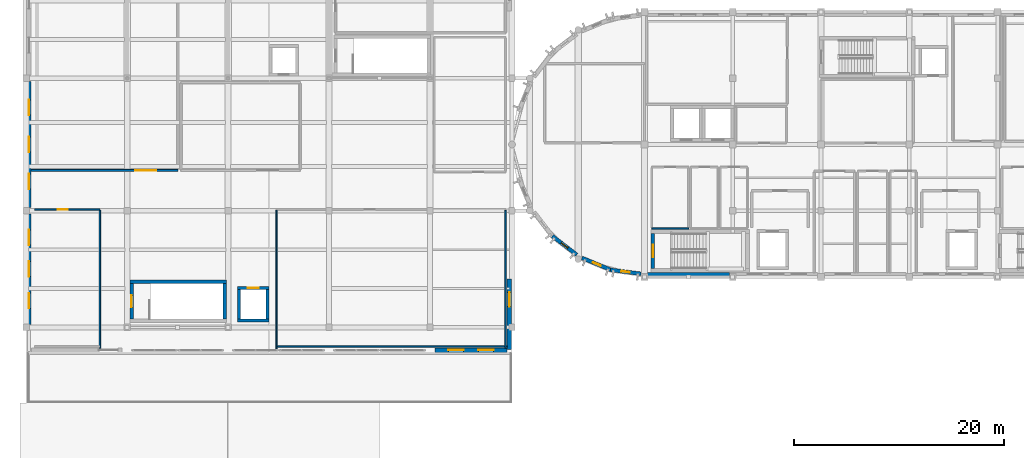
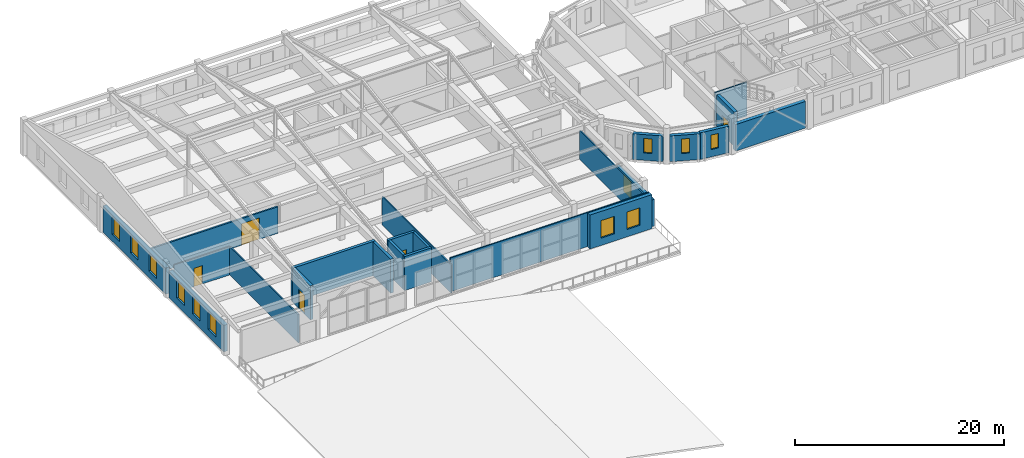
# One storey, part 14 of 29: 23 walls, 12 windows, 5 doors, 17 openings.
"""IFC4 building model written with IfcOpenShell, lengths in metres."""

import ifcopenshell
import ifcopenshell.guid

model = None  # the IFC model being written
_history = None  # IfcOwnerHistory: only IFC2X3 demands one
_inside = {}  # id of a spatial element -> (the spatial element, [elements in it])
_under = {}  # id of a project, library or spatial element -> (it, [spatial elements below it])
_declared = {}  # id of a project -> (the project, [libraries it declares])
_typed = {}  # id of a type object -> (the type object, [elements of that type])
_made_of = {}  # id of a material, layer set ... -> (it, [elements and type objects made of it])


def new_model(schema):
    """Start an empty IFC model of exactly this schema.

    Asked for "IFC4X3", IfcOpenShell would pick the latest addendum, in which some entities
    have other attributes; the version numbers below select the first issue.
    IFC2X3 requires an IfcOwnerHistory on every rooted entity: one is made here for all.
    """
    global model, _history
    if schema == "IFC4X3":
        model = ifcopenshell.file(schema_version=(4, 3, 0, 0))
    else:
        model = ifcopenshell.file(schema=schema)
    _inside.clear()
    _under.clear()
    _declared.clear()
    _typed.clear()
    _made_of.clear()
    _history = None
    if model.schema == "IFC2X3":
        org = make("IfcOrganization", Name="unknown")
        user = make(
            "IfcPersonAndOrganization",
            ThePerson=make("IfcPerson", FamilyName="unknown"),
            TheOrganization=org,
        )
        app = make(
            "IfcApplication",
            ApplicationDeveloper=org,
            Version="unknown",
            ApplicationFullName="unknown",
            ApplicationIdentifier="unknown",
        )
        _history = make(
            "IfcOwnerHistory",
            OwningUser=user,
            OwningApplication=app,
            ChangeAction="ADDED",
            CreationDate=0,
        )
    return model


def make(cls, **values):
    """One entity of the class cls with the attributes given. An attribute that is None is left unset."""
    return model.create_entity(
        cls, **{name: value for name, value in values.items() if value is not None}
    )


def rooted(cls, **values):
    """An entity with a GlobalId (a new one), such as an element, a storey or a relation."""
    return make(cls, GlobalId=ifcopenshell.guid.new(), OwnerHistory=_history, **values)


def si_unit(unit_type, name, prefix=None):
    """IfcSIUnit, for example si_unit("LENGTHUNIT", "METRE", prefix="MILLI")."""
    return make("IfcSIUnit", UnitType=unit_type, Prefix=prefix, Name=name)


def assignment(units):
    """IfcUnitAssignment: the units of a project."""
    return None if units is None else make("IfcUnitAssignment", Units=units)


def point(xyz):
    """IfcCartesianPoint."""
    return None if xyz is None else make("IfcCartesianPoint", Coordinates=xyz)


def direction(xyz):
    """IfcDirection."""
    return None if xyz is None else make("IfcDirection", DirectionRatios=xyz)


def frame(location, z_axis=None, x_axis=None):
    """IfcAxis2Placement3D, a coordinate frame: its origin and axes. An axis left out is left unset."""
    return make(
        "IfcAxis2Placement3D",
        Location=point(location),
        Axis=direction(z_axis),
        RefDirection=direction(x_axis),
    )


def frame_2d(location, x_axis=None):
    """IfcAxis2Placement2D, a coordinate frame in the plane: its origin and x axis."""
    return make(
        "IfcAxis2Placement2D", Location=point(location), RefDirection=direction(x_axis)
    )


def origin():
    """The frame at (0, 0, 0) with its axes left unset."""
    return frame((0.0, 0.0, 0.0))


def place(relative_to, where):
    """IfcLocalPlacement: puts the frame where relative to a parent placement (None: the world)."""
    return make(
        "IfcLocalPlacement", PlacementRelTo=relative_to, RelativePlacement=where
    )


def context(
    kind, dimensions, precision=None, world=None, true_north=None, identifier=None
):
    """IfcGeometricRepresentationContext, for example the 3D "Model" context."""
    return make(
        "IfcGeometricRepresentationContext",
        ContextIdentifier=identifier,
        ContextType=kind,
        CoordinateSpaceDimension=dimensions,
        Precision=precision,
        WorldCoordinateSystem=world,
        TrueNorth=true_north,
    )


def subcontext(parent, identifier, kind, view, scale=None):
    """IfcGeometricRepresentationSubContext, for example "Body" below "Model"."""
    return make(
        "IfcGeometricRepresentationSubContext",
        ContextIdentifier=identifier,
        ContextType=kind,
        ParentContext=parent,
        TargetScale=scale,
        TargetView=view,
    )


def project(units=None, contexts=None):
    """IfcProject with its units and contexts."""
    return rooted(
        "IfcProject",
        Name="project",
        RepresentationContexts=contexts,
        UnitsInContext=assignment(units),
    )


def spatial(cls, under=None, at=None, **own):
    """A site, building, storey or space (cls), placed at a placement, below another one or the project."""
    s = rooted(cls, ObjectPlacement=at, **own)
    if under is not None:
        _under.setdefault(under.id(), (under, []))[1].append(s)
    return s


def profile(cls, at=None, kind="AREA", **sizes):
    """A parametric profile (cls). Its sizes go by their IFC names, for example OverallWidth=200.0."""
    return make(cls, ProfileType=kind, Position=at, **sizes)


def rectangle(**sizes):
    """IfcRectangleProfileDef."""
    return profile("IfcRectangleProfileDef", **sizes)


def extrude(swept, where, along, depth):
    """IfcExtrudedAreaSolid: the profile swept, set in the frame where, extruded along a direction by depth."""
    return make(
        "IfcExtrudedAreaSolid",
        SweptArea=swept,
        Position=where,
        ExtrudedDirection=direction(along),
        Depth=depth,
    )


def shape(context_of_items, identifier, shape_type, items):
    """IfcShapeRepresentation: the items that make up one representation, for example the "Body"."""
    return make(
        "IfcShapeRepresentation",
        ContextOfItems=context_of_items,
        RepresentationIdentifier=identifier,
        RepresentationType=shape_type,
        Items=items,
    )


def material(Name=None, Category=None):
    """IfcMaterial."""
    return make("IfcMaterial", Name=Name, Category=Category)


def layer(
    of_material, thickness, ventilated=None, Name=None, Category=None, Priority=None
):
    """IfcMaterialLayer: one layer of a wall or slab, of a material (None: an air gap)."""
    return make(
        "IfcMaterialLayer",
        Material=of_material,
        LayerThickness=thickness,
        IsVentilated=ventilated,
        Name=Name,
        Category=Category,
        Priority=Priority,
    )


def layer_set(layers, Name=None):
    """IfcMaterialLayerSet."""
    return make("IfcMaterialLayerSet", MaterialLayers=layers, LayerSetName=Name)


def made_of(thing, what):
    """Note that an element or type object is made of a material, layer set ...; save() writes the relation."""
    if what is not None:
        _made_of.setdefault(what.id(), (what, []))[1].append(thing)
    return thing


def type_object(cls, material=None, **own):
    """A type object (cls), such as IfcWallType, which elements share."""
    return made_of(rooted(cls, **own), material)


def element(
    cls,
    number,
    at=None,
    inside=None,
    cuts=None,
    type_object=None,
    material=None,
    context=None,
    identifier="Body",
    shape_type=None,
    held_by="IfcProductDefinitionShape",
    body=None,
    shapes=None,
    **own,
):
    """One element of the class cls, such as IfcWall. Its Tag is "e" and its number.

    at: its placement. inside: the storey or other place that contains it. cuts: it is an
    opening in that element (IfcRelVoidsElement). A single representation is given by context,
    identifier, shape_type and body (its items); several are given by shapes. held_by: the class
    of the entity that holds the representations. save() writes the other relations.
    """
    e = rooted(cls, Tag="e%d" % number, ObjectPlacement=at, **own)
    if body is not None:
        shapes = [shape(context, identifier, shape_type, body)]
    if shapes is not None:
        e.Representation = make(held_by, Representations=shapes)
    if inside is not None:
        _inside.setdefault(inside.id(), (inside, []))[1].append(e)
    if cuts is not None:
        rooted(
            "IfcRelVoidsElement", RelatingBuildingElement=cuts, RelatedOpeningElement=e
        )
    if type_object is not None:
        _typed.setdefault(type_object.id(), (type_object, []))[1].append(e)
    return made_of(e, material)


def fill(opening, filler):
    """IfcRelFillsElement: the door or window that sits in an opening."""
    return rooted(
        "IfcRelFillsElement",
        RelatingOpeningElement=opening,
        RelatedBuildingElement=filler,
    )


def aggregate(whole, parts):
    """IfcRelAggregates: a whole, such as a stair, and the parts it consists of."""
    return rooted("IfcRelAggregates", RelatingObject=whole, RelatedObjects=parts)


def save(model, path):
    """Write the relations noted so far, then the file.

    IfcRelAggregates (storeys below a building ...), IfcRelContainedInSpatialStructure (elements
    in a storey), IfcRelDefinesByType, IfcRelAssociatesMaterial and IfcRelDeclares: one each for
    every whole, place, type object, material and project.
    """
    for whole, parts in _under.values():
        aggregate(whole, parts)
    for where, things in _inside.values():
        rooted(
            "IfcRelContainedInSpatialStructure",
            RelatedElements=things,
            RelatingStructure=where,
        )
    for kind, things in _typed.values():
        rooted("IfcRelDefinesByType", RelatedObjects=things, RelatingType=kind)
    for what, things in _made_of.values():
        rooted("IfcRelAssociatesMaterial", RelatedObjects=things, RelatingMaterial=what)
    for by, libraries in _declared.values():
        rooted("IfcRelDeclares", RelatingContext=by, RelatedDefinitions=libraries)
    model.write(path)


model = new_model("IFC4")

# Units and contexts
model_context = context("Model", 3, precision=1e-05, world=origin(), true_north=direction((0.0, 1.0)))
body_context = subcontext(model_context, "Body", "Model", "MODEL_VIEW")
ifc_project = project(units=[si_unit("LENGTHUNIT", "METRE"), si_unit("AREAUNIT", "SQUARE_METRE"), si_unit("VOLUMEUNIT", "CUBIC_METRE"), si_unit("PLANEANGLEUNIT", "RADIAN"), si_unit("MASSUNIT", "GRAM", prefix="KILO")], contexts=[model_context])

# Site, building, storey
site_placement = place(None, origin())
site = spatial("IfcSite", under=ifc_project, at=site_placement, CompositionType="ELEMENT")
building_placement = place(site_placement, origin())
building = spatial("IfcBuilding", under=site, at=building_placement, Name="Tarnavel Promenade Courthouse", CompositionType="ELEMENT")
storey_placement = place(building_placement, frame((0.0, 0.0, 22.800048828125)))
storey = spatial("IfcBuildingStorey", under=building, at=storey_placement, Name="L06", CompositionType="ELEMENT", Elevation=22.800048828125)

# Wall, opening, door
ifc_material_1 = material(Name="Concrete C40/50", Category="concrete")
ifc_layer_1 = layer(ifc_material_1, 0.280029296875)
ifc_layer_set_1 = layer_set([ifc_layer_1], Name="Concrete C40/50")
wall_type_1 = type_object("IfcWallType", Name="Concrete C40/50 WL-SHR-280 (280 mm)", PredefinedType="SHEAR", material=ifc_layer_set_1)
wall_1_placement = place(storey_placement, frame((20.10009765625, 78.159912109375, 0.0), z_axis=(0.0, 0.0, 1.0), x_axis=(1.0, 0.0, 0.0)))
wall_1 = element("IfcWall", 1, at=wall_1_placement, inside=storey, type_object=wall_type_1, Name="L06 L-PUB3 Lift Shaft North Wall", PredefinedType="SHEAR", context=body_context, shape_type="SweptSolid", body=[
    extrude(rectangle(XDim=3.0, YDim=0.280029296875, at=frame_2d((1.5, 0.0))), origin(), (0.0, 0.0, 1.0), 3.969970703125),
])
opening_1_placement = place(wall_1_placement, frame((0.97509765625, 0.0, 0.0)))
opening_1 = element("IfcOpeningElement", 2, at=opening_1_placement, cuts=wall_1, Name="Opening LD-02", PredefinedType="OPENING", context=body_context, shape_type="SweptSolid", body=[
    extrude(rectangle(XDim=1.050048828125, YDim=2.199951171875, at=frame_2d((0.52490234375, 1.10009765625))), frame((0.0, 0.14990234375, 0.0), z_axis=(0.0, -1.0, 0.0), x_axis=(1.0, 0.0, 0.0)), (0.0, 0.0, 1.0), 0.300048828125),
])
ifc_material_2 = material(Name="Brushed Bronze Passenger Lift Landing Sliding Door")
door_type_1 = type_object("IfcDoorType", Name="Brushed Bronze Passenger Lift Landing Sliding Door (LD-PUB-1050x2200)", OperationType="NOTDEFINED", PredefinedType="DOOR", material=ifc_material_2)
door_1_placement = place(opening_1_placement, origin())
door_1 = element("IfcDoor", 3, at=door_1_placement, inside=storey, type_object=door_type_1, Name="L06 L-PUB3 Lift Sliding Landing Door", OperationType="DOUBLE_DOOR_SLIDING", OverallHeight=2.199951171875, OverallWidth=1.050048828125, PredefinedType="DOOR", context=body_context, shape_type="SweptSolid", body=[
    extrude(rectangle(XDim=1.050048828125, YDim=2.199951171875, at=frame_2d((0.52490234375, 1.10009765625))), frame((0.0, 0.02490234375, 0.0), z_axis=(0.0, -1.0, 0.0), x_axis=(1.0, 0.0, 0.0)), (0.0, 0.0, 1.0), 0.050048828125),
])
fill(opening_1, door_1)

# Walls
wall_2_placement = place(storey_placement, frame((23.10009765625, 75.0400390625, 0.0), z_axis=(0.0, 0.0, 1.0), x_axis=(-1.0, 0.0, 0.0)))
element("IfcWall", 4, at=wall_2_placement, inside=storey, type_object=wall_type_1, Name="L06 L-PUB3 Lift Shaft South Wall", PredefinedType="SHEAR", context=body_context, shape_type="SweptSolid", body=[
    extrude(rectangle(XDim=3.0, YDim=0.280029296875, at=frame_2d((1.5, 0.0))), origin(), (0.0, 0.0, 1.0), 3.969970703125),
])
for number, where, z_axis, x_axis, name in (
    (5, (20.239990234375, 75.179931640625, 0.0), (0.0, 0.0, 1.0), (0.0, 1.0, 0.0), "L06 L-PUB3 Lift Shaft West Wall"),
    (6, (22.9599609375, 78.02001953125, 0.0), (0.0, 0.0, 1.0), (0.0, -1.0, 0.0), "L06 L-PUB3 Lift Shaft East Wall"),
):
    element("IfcWall", number, at=place(storey_placement, frame(where, z_axis=z_axis, x_axis=x_axis)), inside=storey, type_object=wall_type_1, Name=name, PredefinedType="SHEAR", context=body_context, shape_type="SweptSolid", body=[
        extrude(rectangle(XDim=2.840087890625, YDim=0.280029296875, at=frame_2d((1.419921875, 0.0))), origin(), (0.0, 0.0, 1.0), 3.969970703125),
    ])
ifc_layer_2 = layer(ifc_material_1, 0.320068359375)
ifc_layer_set_2 = layer_set([ifc_layer_2], Name="Concrete C40/50")
wall_type_2 = type_object("IfcWallType", Name="Concrete C40/50 WL-SHR-320 (320 mm)", PredefinedType="SHEAR", material=ifc_layer_set_2)
wall_3_placement = place(storey_placement, frame((9.860107421875, 78.739990234375, 0.0), z_axis=(0.0, 0.0, 1.0), x_axis=(1.0, 0.0, 0.0)))
element("IfcWall", 7, at=wall_3_placement, inside=storey, type_object=wall_type_2, Name="L06 ST-04 Shear Core North Wall", PredefinedType="SHEAR", context=body_context, shape_type="SweptSolid", body=[
    extrude(rectangle(XDim=9.179931640625, YDim=0.320068359375, at=frame_2d((4.58984375, 0.0))), origin(), (0.0, 0.0, 1.0), 3.969970703125),
])

# Wall, opening, door
wall_4_placement = place(storey_placement, frame((10.02001953125, 75.179931640625, 0.0), z_axis=(0.0, 0.0, 1.0), x_axis=(0.0, 1.0, 0.0)))
wall_4 = element("IfcWall", 8, at=wall_4_placement, inside=storey, type_object=wall_type_2, Name="L06 ST-04 Shear Core West Landing Wall", PredefinedType="SHEAR", context=body_context, shape_type="SweptSolid", body=[
    extrude(rectangle(XDim=3.400146484375, YDim=0.320068359375, at=frame_2d((1.7001953125, 0.0))), origin(), (0.0, 0.0, 1.0), 3.969970703125),
])
opening_2_placement = place(wall_4_placement, frame((1.125, 0.0, 0.0)))
opening_2 = element("IfcOpeningElement", 9, at=opening_2_placement, cuts=wall_4, Name="Opening FD-01", PredefinedType="OPENING", context=body_context, shape_type="SweptSolid", body=[
    extrude(rectangle(XDim=1.14990234375, YDim=2.199951171875, at=frame_2d((0.574951171875, 1.10009765625))), frame((0.0, 0.169921875, 0.0), z_axis=(0.0, -1.0, 0.0), x_axis=(1.0, 0.0, 0.0)), (0.0, 0.0, 1.0), 0.340087890625),
])
ifc_material_3 = material(Name="Steel Fire-Rated Stair Core Door", Category="steel")
door_type_2 = type_object("IfcDoorType", Name="Steel Fire-Rated Stair Core Door (DR-ST-1150x2200)", OperationType="NOTDEFINED", PredefinedType="DOOR", material=ifc_material_3)
door_2_placement = place(opening_2_placement, origin())
door_2 = element("IfcDoor", 10, at=door_2_placement, inside=storey, type_object=door_type_2, Name="L06 ST-04 Protected Exit Stair Door", OperationType="SINGLE_SWING_RIGHT", OverallHeight=2.199951171875, OverallWidth=1.14990234375, PredefinedType="DOOR", context=body_context, shape_type="SweptSolid", body=[
    extrude(rectangle(XDim=1.14990234375, YDim=2.199951171875, at=frame_2d((0.574951171875, 1.10009765625))), frame((0.0, 0.02490234375, 0.0), z_axis=(0.0, -1.0, 0.0), x_axis=(1.0, 0.0, 0.0)), (0.0, 0.0, 1.0), 0.050048828125),
])
fill(opening_2, door_2)

# Wall
wall_5_placement = place(storey_placement, frame((18.8798828125, 78.580078125, 0.0), z_axis=(0.0, 0.0, 1.0), x_axis=(0.0, -1.0, 0.0)))
element("IfcWall", 11, at=wall_5_placement, inside=storey, type_object=wall_type_2, Name="L06 ST-04 Shear Core East Wall", PredefinedType="SHEAR", context=body_context, shape_type="SweptSolid", body=[
    extrude(rectangle(XDim=3.400146484375, YDim=0.320068359375, at=frame_2d((1.7001953125, 0.0))), origin(), (0.0, 0.0, 1.0), 3.969970703125),
])

# Wall, opening, door
ifc_layer_3 = layer(ifc_material_1, 0.360107421875)
ifc_layer_set_3 = layer_set([ifc_layer_3], Name="Concrete C40/50")
wall_type_3 = type_object("IfcWallType", Name="Concrete C40/50 WL-SHR-360 (360 mm)", PredefinedType="SHEAR", material=ifc_layer_set_3)
wall_6_placement = place(storey_placement, frame((59.60009765625, 79.97998046875, 0.0), z_axis=(0.0, 0.0, 1.0), x_axis=(0.0, 1.0, 0.0)))
wall_6 = element("IfcWall", 12, at=wall_6_placement, inside=storey, type_object=wall_type_3, Name="L06 ST-01 Shear Core West Landing Wall", PredefinedType="SHEAR", context=body_context, shape_type="SweptSolid", body=[
    extrude(rectangle(XDim=3.360107421875, YDim=0.360107421875, at=frame_2d((1.68017578125, 0.0))), origin(), (0.0, 0.0, 1.0), 3.969970703125),
])
opening_3_placement = place(wall_6_placement, frame((1.080078125, 0.0, 0.0)))
opening_3 = element("IfcOpeningElement", 13, at=opening_3_placement, cuts=wall_6, Name="Opening FD-02", PredefinedType="OPENING", context=body_context, shape_type="SweptSolid", body=[
    extrude(rectangle(XDim=1.199951171875, YDim=2.199951171875, at=frame_2d((0.60009765625, 1.10009765625))), frame((0.0, 0.18994140625, 0.0), z_axis=(0.0, -1.0, 0.0), x_axis=(1.0, 0.0, 0.0)), (0.0, 0.0, 1.0), 0.380126953125),
])
ifc_material_4 = material(Name="Steel Fire-Rated Firefighting Stair Door", Category="steel")
door_type_3 = type_object("IfcDoorType", Name="Steel Fire-Rated Firefighting Stair Door (DR-ST-1200x2200)", OperationType="NOTDEFINED", PredefinedType="DOOR", material=ifc_material_4)
door_3_placement = place(opening_3_placement, origin())
door_3 = element("IfcDoor", 14, at=door_3_placement, inside=storey, type_object=door_type_3, Name="L06 ST-01 Protected Exit Stair Door", OperationType="SINGLE_SWING_RIGHT", OverallHeight=2.199951171875, OverallWidth=1.199951171875, PredefinedType="DOOR", context=body_context, shape_type="SweptSolid", body=[
    extrude(rectangle(XDim=1.199951171875, YDim=2.199951171875, at=frame_2d((0.60009765625, 1.10009765625))), frame((0.0, 0.02490234375, 0.0), z_axis=(0.0, -1.0, 0.0), x_axis=(1.0, 0.0, 0.0)), (0.0, 0.0, 1.0), 0.050048828125),
])
fill(opening_3, door_3)

# Wall
ifc_material_5 = material(Name="Cream Brick Insulated Cavity Facade Assembly", Category="masonry")
ifc_layer_4 = layer(ifc_material_5, 0.409912109375)
ifc_layer_set_4 = layer_set([ifc_layer_4], Name="Cream Brick Insulated Cavity Facade Assembly")
wall_type_4 = type_object("IfcWallType", Name="Cream Brick Insulated Cavity Facade Assembly WL-EXT-410 (410 mm)", PredefinedType="STANDARD", material=ifc_layer_set_4)
wall_7_placement = place(storey_placement, frame((66.883056640625, 79.419921875, 0.0), z_axis=(0.0, 0.0, 1.0), x_axis=(-1.0, 0.0, 0.0)))
element("IfcWall", 15, at=wall_7_placement, inside=storey, type_object=wall_type_4, Name="L06 Bar South Limestone Facade 0143", PredefinedType="STANDARD", context=body_context, shape_type="SweptSolid", body=[
    extrude(rectangle(XDim=7.76611328125, YDim=0.409912109375, at=frame_2d((3.883056640625, 0.0))), origin(), (0.0, 0.0, 1.0), 3.099853515625),
])

# Wall, openings, windows
wall_8_placement = place(storey_placement, frame((38.89990234375, 72.239990234375, 0.0), z_axis=(0.0, 0.0, 1.0), x_axis=(1.0, 0.0, 0.0)))
wall_8 = element("IfcWall", 16, at=wall_8_placement, inside=storey, type_object=wall_type_4, Name="L06 L06 Terrace South Wall East 0336", PredefinedType="STANDARD", context=body_context, shape_type="SweptSolid", body=[
    extrude(rectangle(XDim=6.84814453125, YDim=0.409912109375, at=frame_2d((3.424072265625, 0.0))), origin(), (0.0, 0.0, 1.0), 3.969970703125),
])
opening_4_placement = place(wall_8_placement, frame((1.25, 0.0, 0.85009765625)))
opening_4 = element("IfcOpeningElement", 17, at=opening_4_placement, cuts=wall_8, Name="Opening W-03", PredefinedType="OPENING", context=body_context, shape_type="SweptSolid", body=[
    extrude(rectangle(XDim=1.449951171875, YDim=2.050048828125, at=frame_2d((0.72509765625, 1.02490234375))), frame((0.0, 0.21484375, 0.0), z_axis=(0.0, -1.0, 0.0), x_axis=(1.0, 0.0, 0.0)), (0.0, 0.0, 1.0), 0.429931640625),
])
opening_5_placement = place(wall_8_placement, frame((4.10009765625, 0.0, 0.85009765625)))
opening_5 = element("IfcOpeningElement", 18, at=opening_5_placement, cuts=wall_8, Name="Opening W-03", PredefinedType="OPENING", context=body_context, shape_type="SweptSolid", body=[
    extrude(rectangle(XDim=1.449951171875, YDim=2.050048828125, at=frame_2d((0.72509765625, 1.02490234375))), frame((0.0, 0.21484375, 0.0), z_axis=(0.0, -1.0, 0.0), x_axis=(1.0, 0.0, 0.0)), (0.0, 0.0, 1.0), 0.429931640625),
])
ifc_material_6 = material(Name="Triple Low-E Glazed Bronze-Clad Window Assembly")
window_type_1 = type_object("IfcWindowType", Name="Triple-Glazed Bronze-Clad Timber-Aluminium WIN-APP-1450x2050", PartitioningType="SINGLE_PANEL", PredefinedType="WINDOW", material=ifc_material_6)
window_1_placement = place(opening_4_placement, origin())
window_1 = element("IfcWindow", 19, at=window_1_placement, inside=storey, type_object=window_type_1, Name="L06 Exterior Window 0385", OverallHeight=2.050048828125, OverallWidth=1.449951171875, PartitioningType="SINGLE_PANEL", PredefinedType="WINDOW", context=body_context, shape_type="SweptSolid", body=[
    extrude(rectangle(XDim=1.449951171875, YDim=2.050048828125, at=frame_2d((0.72509765625, 1.02490234375))), frame((0.0, 0.030029296875, 0.0), z_axis=(0.0, -1.0, 0.0), x_axis=(1.0, 0.0, 0.0)), (0.0, 0.0, 1.0), 0.06005859375),
])
fill(opening_4, window_1)
window_2_placement = place(opening_5_placement, origin())
window_2 = element("IfcWindow", 20, at=window_2_placement, inside=storey, type_object=window_type_1, Name="L06 Exterior Window 0386", OverallHeight=2.050048828125, OverallWidth=1.449951171875, PartitioningType="SINGLE_PANEL", PredefinedType="WINDOW", context=body_context, shape_type="SweptSolid", body=[
    extrude(rectangle(XDim=1.449951171875, YDim=2.050048828125, at=frame_2d((0.72509765625, 1.02490234375))), frame((0.0, 0.030029296875, 0.0), z_axis=(0.0, -1.0, 0.0), x_axis=(1.0, 0.0, 0.0)), (0.0, 0.0, 1.0), 0.06005859375),
])
fill(opening_5, window_2)

# Wall, opening, door
ifc_material_7 = material(Name="Double-Stud Acoustic Courtroom Partition Assembly", Category="gypsum")
ifc_layer_5 = layer(ifc_material_7, 0.18505859375)
ifc_layer_set_5 = layer_set([ifc_layer_5], Name="Double-Stud Acoustic Courtroom Partition Assembly")
wall_type_5 = type_object("IfcWallType", Name="Double-Stud Acoustic Courtroom Partition Assembly WL-CRT-185 (185 mm)", PredefinedType="PARTITIONING", material=ifc_layer_set_5)
wall_9_placement = place(storey_placement, frame((14.41796875, 89.340087890625, 0.0), z_axis=(0.0, 0.0, 1.0), x_axis=(-1.0, 0.0, 0.0)))
wall_9 = element("IfcWall", 21, at=wall_9_placement, inside=storey, type_object=wall_type_5, Name="L06 Commercial Arbitration Courtroom Partition 0781", PredefinedType="PARTITIONING", context=body_context, shape_type="SweptSolid", body=[
    extrude(rectangle(XDim=13.9638671875, YDim=0.18505859375, at=frame_2d((6.98193359375, 0.0))), origin(), (0.0, 0.0, 1.0), 3.099853515625),
])
opening_6_placement = place(wall_9_placement, frame((2.03955078125, 0.0, 0.0)))
opening_6 = element("IfcOpeningElement", 22, at=opening_6_placement, cuts=wall_9, Name="Opening ID-01", PredefinedType="OPENING", context=body_context, shape_type="SweptSolid", body=[
    extrude(rectangle(XDim=2.0, YDim=2.5, at=frame_2d((1.0, 1.25))), frame((0.0, 0.1025390625, 0.0), z_axis=(0.0, -1.0, 0.0), x_axis=(1.0, 0.0, 0.0)), (0.0, 0.0, 1.0), 0.205078125),
])
ifc_material_8 = material(Name="Solid Oak Acoustic Courtroom Double Door")
door_type_4 = type_object("IfcDoorType", Name="Solid Oak Acoustic Courtroom Double Door (DR-CRT-2000x2500)", OperationType="NOTDEFINED", PredefinedType="DOOR", material=ifc_material_8)
door_4_placement = place(opening_6_placement, origin())
door_4 = element("IfcDoor", 23, at=door_4_placement, inside=storey, type_object=door_type_4, Name="L06 Commercial Arbitration Courtroom Door 0223", OperationType="DOUBLE_DOOR_SINGLE_SWING", OverallHeight=2.5, OverallWidth=2.0, PredefinedType="DOOR", context=body_context, shape_type="SweptSolid", body=[
    extrude(rectangle(XDim=2.0, YDim=2.5, at=frame_2d((1.0, 1.25))), frame((0.0, 0.02490234375, 0.0), z_axis=(0.0, -1.0, 0.0), x_axis=(1.0, 0.0, 0.0)), (0.0, 0.0, 1.0), 0.050048828125),
])
fill(opening_6, door_4)

# Wall, openings, windows
ifc_material_9 = material(Name="Limestone Ashlar Faced Insulated Brick Masonry", Category="masonry")
ifc_layer_6 = layer(ifc_material_9, 0.43994140625)
ifc_layer_set_6 = layer_set([ifc_layer_6], Name="Limestone Ashlar Faced Insulated Brick Masonry")
wall_type_6 = type_object("IfcWallType", Name="Limestone Ashlar Faced Insulated Brick Masonry WL-EXT-440 (440 mm)", PredefinedType="STANDARD", material=ifc_layer_set_6)
wall_10_placement = place(storey_placement, frame((0.239990234375, 74.69189453125, 0.0), z_axis=(0.0, 0.0, 1.0), x_axis=(0.0, 1.0, 0.0)))
wall_10 = element("IfcWall", 24, at=wall_10_placement, inside=storey, type_object=wall_type_6, Name="L06 Trial Wing West Ashlar Facade 0332", PredefinedType="STANDARD", context=body_context, shape_type="SweptSolid", body=[
    extrude(rectangle(XDim=10.51611328125, YDim=0.43994140625, at=frame_2d((5.258056640625, 0.0))), origin(), (0.0, 0.0, 1.0), 3.099853515625),
])
opening_7_placement = place(wall_10_placement, frame((1.519775390625, 0.0, 0.85009765625)))
opening_7 = element("IfcOpeningElement", 25, at=opening_7_placement, cuts=wall_10, Name="Opening W-03", PredefinedType="OPENING", context=body_context, shape_type="SweptSolid", body=[
    extrude(rectangle(XDim=1.449951171875, YDim=2.050048828125, at=frame_2d((0.72509765625, 1.02490234375))), frame((0.0, 0.22998046875, 0.0), z_axis=(0.0, -1.0, 0.0), x_axis=(1.0, 0.0, 0.0)), (0.0, 0.0, 1.0), 0.4599609375),
])
opening_8_placement = place(wall_10_placement, frame((4.532958984375, 0.0, 0.85009765625)))
opening_8 = element("IfcOpeningElement", 26, at=opening_8_placement, cuts=wall_10, Name="Opening W-03", PredefinedType="OPENING", context=body_context, shape_type="SweptSolid", body=[
    extrude(rectangle(XDim=1.449951171875, YDim=2.050048828125, at=frame_2d((0.72509765625, 1.02490234375))), frame((0.0, 0.22998046875, 0.0), z_axis=(0.0, -1.0, 0.0), x_axis=(1.0, 0.0, 0.0)), (0.0, 0.0, 1.0), 0.4599609375),
])
opening_9_placement = place(wall_10_placement, frame((7.54638671875, 0.0, 0.85009765625)))
opening_9 = element("IfcOpeningElement", 27, at=opening_9_placement, cuts=wall_10, Name="Opening W-03", PredefinedType="OPENING", context=body_context, shape_type="SweptSolid", body=[
    extrude(rectangle(XDim=1.449951171875, YDim=2.050048828125, at=frame_2d((0.72509765625, 1.02490234375))), frame((0.0, 0.22998046875, 0.0), z_axis=(0.0, -1.0, 0.0), x_axis=(1.0, 0.0, 0.0)), (0.0, 0.0, 1.0), 0.4599609375),
])
window_3_placement = place(opening_7_placement, origin())
window_3 = element("IfcWindow", 28, at=window_3_placement, inside=storey, type_object=window_type_1, Name="L06 Exterior Window 0376", OverallHeight=2.050048828125, OverallWidth=1.449951171875, PartitioningType="SINGLE_PANEL", PredefinedType="WINDOW", context=body_context, shape_type="SweptSolid", body=[
    extrude(rectangle(XDim=1.449951171875, YDim=2.050048828125, at=frame_2d((0.72509765625, 1.02490234375))), frame((0.0, 0.030029296875, 0.0), z_axis=(0.0, -1.0, 0.0), x_axis=(1.0, 0.0, 0.0)), (0.0, 0.0, 1.0), 0.06005859375),
])
fill(opening_7, window_3)
window_4_placement = place(opening_8_placement, origin())
window_4 = element("IfcWindow", 29, at=window_4_placement, inside=storey, type_object=window_type_1, Name="L06 Exterior Window 0377", OverallHeight=2.050048828125, OverallWidth=1.449951171875, PartitioningType="SINGLE_PANEL", PredefinedType="WINDOW", context=body_context, shape_type="SweptSolid", body=[
    extrude(rectangle(XDim=1.449951171875, YDim=2.050048828125, at=frame_2d((0.72509765625, 1.02490234375))), frame((0.0, 0.030029296875, 0.0), z_axis=(0.0, -1.0, 0.0), x_axis=(1.0, 0.0, 0.0)), (0.0, 0.0, 1.0), 0.06005859375),
])
fill(opening_8, window_4)
window_5_placement = place(opening_9_placement, origin())
window_5 = element("IfcWindow", 30, at=window_5_placement, inside=storey, type_object=window_type_1, Name="L06 Exterior Window 0378", OverallHeight=2.050048828125, OverallWidth=1.449951171875, PartitioningType="SINGLE_PANEL", PredefinedType="WINDOW", context=body_context, shape_type="SweptSolid", body=[
    extrude(rectangle(XDim=1.449951171875, YDim=2.050048828125, at=frame_2d((0.72509765625, 1.02490234375))), frame((0.0, 0.030029296875, 0.0), z_axis=(0.0, -1.0, 0.0), x_axis=(1.0, 0.0, 0.0)), (0.0, 0.0, 1.0), 0.06005859375),
])
fill(opening_9, window_5)

wall_11_placement = place(storey_placement, frame((0.239990234375, 85.7919921875, 0.0), z_axis=(0.0, 0.0, 1.0), x_axis=(0.0, 1.0, 0.0)))
wall_11 = element("IfcWall", 31, at=wall_11_placement, inside=storey, type_object=wall_type_6, Name="L06 Trial Wing West Ashlar Facade 0333", PredefinedType="STANDARD", context=body_context, shape_type="SweptSolid", body=[
    extrude(rectangle(XDim=12.01611328125, YDim=0.43994140625, at=frame_2d((6.008056640625, 0.0))), origin(), (0.0, 0.0, 1.0), 3.050048828125),
])
opening_10_placement = place(wall_11_placement, frame((1.769775390625, 0.0, 0.780029296875)))
opening_10 = element("IfcOpeningElement", 32, at=opening_10_placement, cuts=wall_11, Name="Opening W-03", PredefinedType="OPENING", context=body_context, shape_type="SweptSolid", body=[
    extrude(rectangle(XDim=1.449951171875, YDim=2.050048828125, at=frame_2d((0.72509765625, 1.02490234375))), frame((0.0, 0.22998046875, 0.0), z_axis=(0.0, -1.0, 0.0), x_axis=(1.0, 0.0, 0.0)), (0.0, 0.0, 1.0), 0.4599609375),
])
opening_11_placement = place(wall_11_placement, frame((5.282958984375, 0.0, 0.780029296875)))
opening_11 = element("IfcOpeningElement", 33, at=opening_11_placement, cuts=wall_11, Name="Opening W-03", PredefinedType="OPENING", context=body_context, shape_type="SweptSolid", body=[
    extrude(rectangle(XDim=1.449951171875, YDim=2.050048828125, at=frame_2d((0.72509765625, 1.02490234375))), frame((0.0, 0.22998046875, 0.0), z_axis=(0.0, -1.0, 0.0), x_axis=(1.0, 0.0, 0.0)), (0.0, 0.0, 1.0), 0.4599609375),
])
opening_12_placement = place(wall_11_placement, frame((8.79638671875, 0.0, 0.780029296875)))
opening_12 = element("IfcOpeningElement", 34, at=opening_12_placement, cuts=wall_11, Name="Opening W-03", PredefinedType="OPENING", context=body_context, shape_type="SweptSolid", body=[
    extrude(rectangle(XDim=1.449951171875, YDim=2.050048828125, at=frame_2d((0.72509765625, 1.02490234375))), frame((0.0, 0.22998046875, 0.0), z_axis=(0.0, -1.0, 0.0), x_axis=(1.0, 0.0, 0.0)), (0.0, 0.0, 1.0), 0.4599609375),
])
window_6_placement = place(opening_10_placement, origin())
window_6 = element("IfcWindow", 35, at=window_6_placement, inside=storey, type_object=window_type_1, Name="L06 Exterior Window 0379", OverallHeight=2.050048828125, OverallWidth=1.449951171875, PartitioningType="SINGLE_PANEL", PredefinedType="WINDOW", context=body_context, shape_type="SweptSolid", body=[
    extrude(rectangle(XDim=1.449951171875, YDim=2.050048828125, at=frame_2d((0.72509765625, 1.02490234375))), frame((0.0, 0.030029296875, 0.0), z_axis=(0.0, -1.0, 0.0), x_axis=(1.0, 0.0, 0.0)), (0.0, 0.0, 1.0), 0.06005859375),
])
fill(opening_10, window_6)
window_7_placement = place(opening_11_placement, origin())
window_7 = element("IfcWindow", 36, at=window_7_placement, inside=storey, type_object=window_type_1, Name="L06 Exterior Window 0380", OverallHeight=2.050048828125, OverallWidth=1.449951171875, PartitioningType="SINGLE_PANEL", PredefinedType="WINDOW", context=body_context, shape_type="SweptSolid", body=[
    extrude(rectangle(XDim=1.449951171875, YDim=2.050048828125, at=frame_2d((0.72509765625, 1.02490234375))), frame((0.0, 0.030029296875, 0.0), z_axis=(0.0, -1.0, 0.0), x_axis=(1.0, 0.0, 0.0)), (0.0, 0.0, 1.0), 0.06005859375),
])
fill(opening_11, window_7)
window_8_placement = place(opening_12_placement, origin())
window_8 = element("IfcWindow", 37, at=window_8_placement, inside=storey, type_object=window_type_1, Name="L06 Exterior Window 0381", OverallHeight=2.050048828125, OverallWidth=1.449951171875, PartitioningType="SINGLE_PANEL", PredefinedType="WINDOW", context=body_context, shape_type="SweptSolid", body=[
    extrude(rectangle(XDim=1.449951171875, YDim=2.050048828125, at=frame_2d((0.72509765625, 1.02490234375))), frame((0.0, 0.030029296875, 0.0), z_axis=(0.0, -1.0, 0.0), x_axis=(1.0, 0.0, 0.0)), (0.0, 0.0, 1.0), 0.06005859375),
])
fill(opening_12, window_8)

# Wall, opening, window
wall_12_placement = place(storey_placement, frame((45.9599609375, 72.300048828125, 0.0), z_axis=(0.0, 0.0, 1.0), x_axis=(0.0, 1.0, 0.0)))
wall_12 = element("IfcWall", 38, at=wall_12_placement, inside=storey, type_object=wall_type_6, Name="L06 L06 Trial Wing South-East Stepback Wall 0449", PredefinedType="STANDARD", context=body_context, shape_type="SweptSolid", body=[
    extrude(rectangle(XDim=6.699951171875, YDim=0.43994140625, at=frame_2d((3.35009765625, 0.0))), origin(), (0.0, 0.0, 1.0), 3.125),
])
opening_13_placement = place(wall_12_placement, frame((4.074951171875, 0.0, 0.85009765625)))
opening_13 = element("IfcOpeningElement", 39, at=opening_13_placement, cuts=wall_12, Name="Opening W-04", PredefinedType="OPENING", context=body_context, shape_type="SweptSolid", body=[
    extrude(rectangle(XDim=1.35009765625, YDim=1.949951171875, at=frame_2d((0.675048828125, 0.97509765625))), frame((0.0, 0.22998046875, 0.0), z_axis=(0.0, -1.0, 0.0), x_axis=(1.0, 0.0, 0.0)), (0.0, 0.0, 1.0), 0.4599609375),
])
window_type_2 = type_object("IfcWindowType", Name="Triple-Glazed Bronze-Clad Timber-Aluminium WIN-CHM-1350x1950", PartitioningType="SINGLE_PANEL", PredefinedType="WINDOW", material=ifc_material_6)
window_9_placement = place(opening_13_placement, origin())
window_9 = element("IfcWindow", 40, at=window_9_placement, inside=storey, type_object=window_type_2, Name="L06 Exterior Window 0575", OverallHeight=1.949951171875, OverallWidth=1.35009765625, PartitioningType="SINGLE_PANEL", PredefinedType="WINDOW", context=body_context, shape_type="SweptSolid", body=[
    extrude(rectangle(XDim=1.35009765625, YDim=1.949951171875, at=frame_2d((0.675048828125, 0.97509765625))), frame((0.0, 0.030029296875, 0.0), z_axis=(0.0, -1.0, 0.0), x_axis=(1.0, 0.0, 0.0)), (0.0, 0.0, 1.0), 0.06005859375),
])
fill(opening_13, window_9)

# Wall
ifc_material_10 = material(Name="Metal-Stud Acoustic Gypsum Partition", Category="gypsum")
ifc_layer_7 = layer(ifc_material_10, 0.135009765625)
ifc_layer_set_7 = layer_set([ifc_layer_7], Name="Metal-Stud Acoustic Gypsum Partition")
wall_type_7 = type_object("IfcWallType", Name="Metal-Stud Acoustic Gypsum Partition WL-OFF-135 (135 mm)", PredefinedType="PARTITIONING", material=ifc_layer_set_7)
wall_13_placement = place(storey_placement, frame((63.0, 83.800048828125, 0.0), z_axis=(0.0, 0.0, 1.0), x_axis=(-1.0, 0.0, 0.0)))
element("IfcWall", 41, at=wall_13_placement, inside=storey, type_object=wall_type_7, Name="L06 L06 Bailiffs' Duty Room Partition 0774", PredefinedType="PARTITIONING", context=body_context, shape_type="SweptSolid", body=[
    extrude(rectangle(XDim=3.5, YDim=0.135009765625, at=frame_2d((1.75, 0.0))), origin(), (0.0, 0.0, 1.0), 3.954833984375),
])

# Wall, opening, door
wall_14_placement = place(storey_placement, frame((0.800048828125, 85.60009765625, 0.0), z_axis=(0.0, 0.0, 1.0), x_axis=(1.0, 0.0, 0.0)))
wall_14 = element("IfcWall", 42, at=wall_14_placement, inside=storey, type_object=wall_type_7, Name="L06 Roof Terrace Judicial Lounge Partition 0794", PredefinedType="PARTITIONING", context=body_context, shape_type="SweptSolid", body=[
    extrude(rectangle(XDim=6.199951171875, YDim=0.135009765625, at=frame_2d((3.10009765625, 0.0))), origin(), (0.0, 0.0, 1.0), 3.300048828125),
])
opening_14_placement = place(wall_14_placement, frame((2.169921875, 0.0, 0.0)))
opening_14 = element("IfcOpeningElement", 43, at=opening_14_placement, cuts=wall_14, Name="Opening ID-06", PredefinedType="OPENING", context=body_context, shape_type="SweptSolid", body=[
    extrude(rectangle(XDim=0.949951171875, YDim=2.14990234375, at=frame_2d((0.47509765625, 1.074951171875))), frame((0.0, 0.077392578125, 0.0), z_axis=(0.0, -1.0, 0.0), x_axis=(1.0, 0.0, 0.0)), (0.0, 0.0, 1.0), 0.155029296875),
])
ifc_material_11 = material(Name="Acoustic Timber Veneer Office Door", Category="wood")
door_type_5 = type_object("IfcDoorType", Name="Acoustic Timber Veneer Office Door (DR-OFF-0950x2150)", OperationType="NOTDEFINED", PredefinedType="DOOR", material=ifc_material_11)
door_5_placement = place(opening_14_placement, origin())
door_5 = element("IfcDoor", 44, at=door_5_placement, inside=storey, type_object=door_type_5, Name="L06 Roof Terrace Judicial Lounge Door 0227", OperationType="SINGLE_SWING_RIGHT", OverallHeight=2.14990234375, OverallWidth=0.949951171875, PredefinedType="DOOR", context=body_context, shape_type="SweptSolid", body=[
    extrude(rectangle(XDim=0.949951171875, YDim=2.14990234375, at=frame_2d((0.47509765625, 1.074951171875))), frame((0.0, 0.02490234375, 0.0), z_axis=(0.0, -1.0, 0.0), x_axis=(1.0, 0.0, 0.0)), (0.0, 0.0, 1.0), 0.050048828125),
])
fill(opening_14, door_5)

# Walls
wall_15_placement = place(storey_placement, frame((7.0, 85.5224609375, 0.0), z_axis=(0.0, 0.0, 1.0), x_axis=(0.0, -1.0, 0.0)))
element("IfcWall", 45, at=wall_15_placement, inside=storey, type_object=wall_type_7, Name="L06 Roof Terrace Judicial Lounge Partition 0796", PredefinedType="PARTITIONING", context=body_context, shape_type="SweptSolid", body=[
    extrude(rectangle(XDim=13.08349609375, YDim=0.135009765625, at=frame_2d((6.541748046875, 0.0))), origin(), (0.0, 0.0, 1.0), 3.300048828125),
])
wall_16_placement = place(storey_placement, frame((45.74609375, 72.60009765625, 0.0), z_axis=(0.0, 0.0, 1.0), x_axis=(-1.0, 0.0, 0.0)))
element("IfcWall", 46, at=wall_16_placement, inside=storey, type_object=wall_type_7, Name="L06 Appellate Research Fellows' Office Partition 0798", PredefinedType="PARTITIONING", context=body_context, shape_type="SweptSolid", body=[
    extrude(rectangle(XDim=21.946044921875, YDim=0.135009765625, at=frame_2d((10.97314453125, 0.0))), origin(), (0.0, 0.0, 1.0), 3.954833984375),
])
wall_17_placement = place(storey_placement, frame((23.800048828125, 72.31005859375, 0.0), z_axis=(0.0, 0.0, 1.0), x_axis=(0.0, 1.0, 0.0)))
element("IfcWall", 47, at=wall_17_placement, inside=storey, type_object=wall_type_7, Name="L06 Appellate Research Fellows' Office Partition 0799", PredefinedType="PARTITIONING", context=body_context, shape_type="SweptSolid", body=[
    extrude(rectangle(XDim=13.21240234375, YDim=0.135009765625, at=frame_2d((6.606201171875, 0.0))), origin(), (0.0, 0.0, 1.0), 3.300048828125),
])
wall_18_placement = place(storey_placement, frame((45.60009765625, 85.5224609375, 0.0), z_axis=(0.0, 0.0, 1.0), x_axis=(0.0, -1.0, 0.0)))
element("IfcWall", 48, at=wall_18_placement, inside=storey, type_object=wall_type_7, Name="L06 Appellate Research Fellows' Office Partition 0800", PredefinedType="PARTITIONING", context=body_context, shape_type="SweptSolid", body=[
    extrude(rectangle(XDim=13.08349609375, YDim=0.135009765625, at=frame_2d((6.541748046875, 0.0))), origin(), (0.0, 0.0, 1.0), 3.375),
])

# Wall, opening, window
ifc_material_12 = material(Name="Patinated Copper-Bronze Insulated Drum Wall Assembly", Category="masonry")
ifc_layer_8 = layer(ifc_material_12, 0.364990234375)
ifc_layer_set_8 = layer_set([ifc_layer_8], Name="Patinated Copper-Bronze Insulated Drum Wall Assembly")
wall_type_8 = type_object("IfcWallType", Name="Patinated Copper-Bronze Insulated Drum Wall Assembly WL-DRUM-365 (365 mm)", PredefinedType="ELEMENTEDWALL", material=ifc_layer_set_8)
wall_19_placement = place(storey_placement, frame((50.042724609375, 83.0888671875, 0.0), z_axis=(0.0, 0.0, 1.0), x_axis=(0.793318703663, -0.608806565682, 0.0)))
wall_19 = element("IfcWall", 49, at=wall_19_placement, inside=storey, type_object=wall_type_8, Name="L06 W Copper Drum Chord Wall 10 0155", PredefinedType="ELEMENTEDWALL", context=body_context, shape_type="SweptSolid", body=[
    extrude(rectangle(XDim=2.92431640625, YDim=0.364990234375, at=frame_2d((1.462158203125, 0.0))), origin(), (0.0, 0.0, 1.0), 3.0),
])
opening_15_placement = place(wall_19_placement, frame((1.06201171875, 0.0, 0.85009765625)))
opening_15 = element("IfcOpeningElement", 50, at=opening_15_placement, cuts=wall_19, Name="Opening W-09", PredefinedType="OPENING", context=body_context, shape_type="SweptSolid", body=[
    extrude(rectangle(XDim=0.800048828125, YDim=1.699951171875, at=frame_2d((0.39990234375, 0.85009765625))), frame((0.0, 0.1923828125, 0.0), z_axis=(0.0, -1.0, 0.0), x_axis=(1.0, 0.0, 0.0)), (0.0, 0.0, 1.0), 0.385009765625),
])
window_type_3 = type_object("IfcWindowType", Name="Triple-Glazed Bronze-Clad Timber-Aluminium WIN-DRM-0800x1700", PartitioningType="SINGLE_PANEL", PredefinedType="WINDOW", material=ifc_material_6)
window_10_placement = place(opening_15_placement, origin())
window_10 = element("IfcWindow", 51, at=window_10_placement, inside=storey, type_object=window_type_3, Name="L06 Exterior Window 0122", OverallHeight=1.699951171875, OverallWidth=0.800048828125, PartitioningType="SINGLE_PANEL", PredefinedType="WINDOW", context=body_context, shape_type="SweptSolid", body=[
    extrude(rectangle(XDim=0.800048828125, YDim=1.699951171875, at=frame_2d((0.39990234375, 0.85009765625))), frame((0.0, 0.030029296875, 0.0), z_axis=(0.0, -1.0, 0.0), x_axis=(1.0, 0.0, 0.0)), (0.0, 0.0, 1.0), 0.06005859375),
])
fill(opening_15, window_10)

wall_20_placement = place(storey_placement, frame((52.856201171875, 81.01123046875, 0.0), z_axis=(0.0, 0.0, 1.0), x_axis=(0.923872366395, -0.382700732442, 0.0)))
wall_20 = element("IfcWall", 52, at=wall_20_placement, inside=storey, type_object=wall_type_8, Name="L06 W Copper Drum Chord Wall 11 0156", PredefinedType="ELEMENTEDWALL", context=body_context, shape_type="SweptSolid", body=[
    extrude(rectangle(XDim=3.00732421875, YDim=0.364990234375, at=frame_2d((1.503662109375, 0.0))), origin(), (0.0, 0.0, 1.0), 3.0),
])
opening_16_placement = place(wall_20_placement, frame((1.14501953125, 0.0, 0.85009765625)))
opening_16 = element("IfcOpeningElement", 53, at=opening_16_placement, cuts=wall_20, Name="Opening W-09", PredefinedType="OPENING", context=body_context, shape_type="SweptSolid", body=[
    extrude(rectangle(XDim=0.800048828125, YDim=1.699951171875, at=frame_2d((0.39990234375, 0.85009765625))), frame((0.0, 0.1923828125, 0.0), z_axis=(0.0, -1.0, 0.0), x_axis=(1.0, 0.0, 0.0)), (0.0, 0.0, 1.0), 0.385009765625),
])
window_11_placement = place(opening_16_placement, origin())
window_11 = element("IfcWindow", 54, at=window_11_placement, inside=storey, type_object=window_type_3, Name="L06 Exterior Window 0123", OverallHeight=1.699951171875, OverallWidth=0.800048828125, PartitioningType="SINGLE_PANEL", PredefinedType="WINDOW", context=body_context, shape_type="SweptSolid", body=[
    extrude(rectangle(XDim=0.800048828125, YDim=1.699951171875, at=frame_2d((0.39990234375, 0.85009765625))), frame((0.0, 0.030029296875, 0.0), z_axis=(0.0, -1.0, 0.0), x_axis=(1.0, 0.0, 0.0)), (0.0, 0.0, 1.0), 0.06005859375),
])
fill(opening_16, window_11)

wall_21_placement = place(storey_placement, frame((55.571533203125, 79.877197265625, 0.0), z_axis=(0.0, 0.0, 1.0), x_axis=(0.99144889538, -0.13049554724, 0.0)))
wall_21 = element("IfcWall", 55, at=wall_21_placement, inside=storey, type_object=wall_type_8, Name="L06 W Copper Drum Chord Wall 12 0157", PredefinedType="ELEMENTEDWALL", context=body_context, shape_type="SweptSolid", body=[
    extrude(rectangle(XDim=2.924072265625, YDim=0.364990234375, at=frame_2d((1.4619140625, 0.0))), origin(), (0.0, 0.0, 1.0), 3.099853515625),
])
opening_17_placement = place(wall_21_placement, frame((1.06201171875, 0.0, 0.85009765625)))
opening_17 = element("IfcOpeningElement", 56, at=opening_17_placement, cuts=wall_21, Name="Opening W-09", PredefinedType="OPENING", context=body_context, shape_type="SweptSolid", body=[
    extrude(rectangle(XDim=0.800048828125, YDim=1.699951171875, at=frame_2d((0.39990234375, 0.85009765625))), frame((0.0, 0.1923828125, 0.0), z_axis=(0.0, -1.0, 0.0), x_axis=(1.0, 0.0, 0.0)), (0.0, 0.0, 1.0), 0.385009765625),
])
window_12_placement = place(opening_17_placement, origin())
window_12 = element("IfcWindow", 57, at=window_12_placement, inside=storey, type_object=window_type_3, Name="L06 Exterior Window 0124", OverallHeight=1.699951171875, OverallWidth=0.800048828125, PartitioningType="SINGLE_PANEL", PredefinedType="WINDOW", context=body_context, shape_type="SweptSolid", body=[
    extrude(rectangle(XDim=0.800048828125, YDim=1.699951171875, at=frame_2d((0.39990234375, 0.85009765625))), frame((0.0, 0.030029296875, 0.0), z_axis=(0.0, -1.0, 0.0), x_axis=(1.0, 0.0, 0.0)), (0.0, 0.0, 1.0), 0.06005859375),
])
fill(opening_17, window_12)

save(model, "model.ifc")
